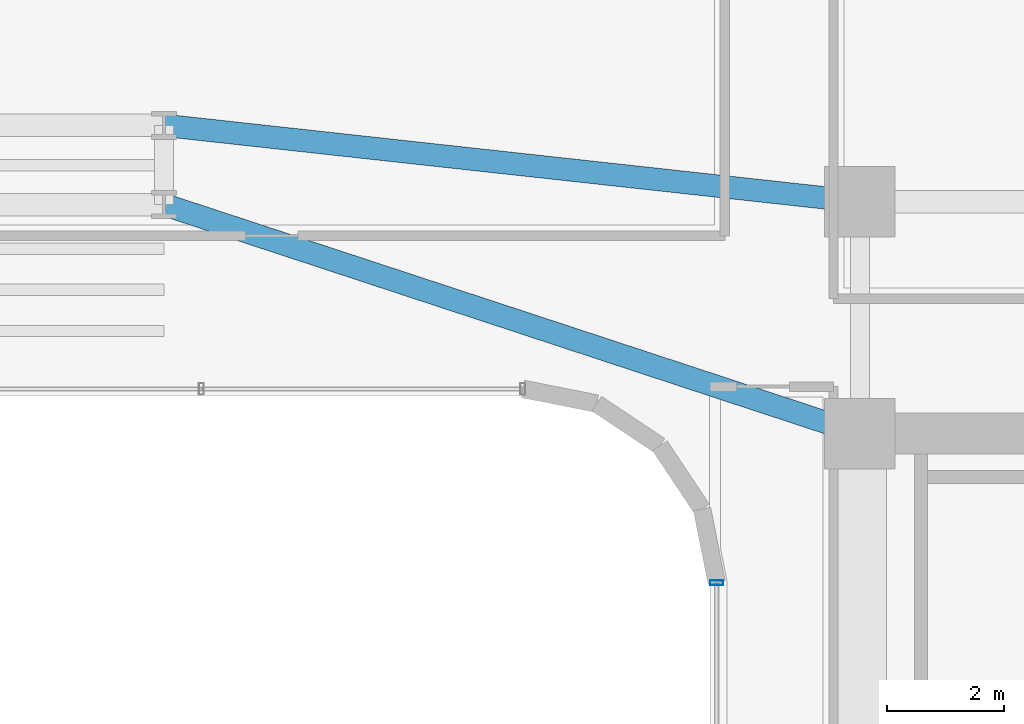
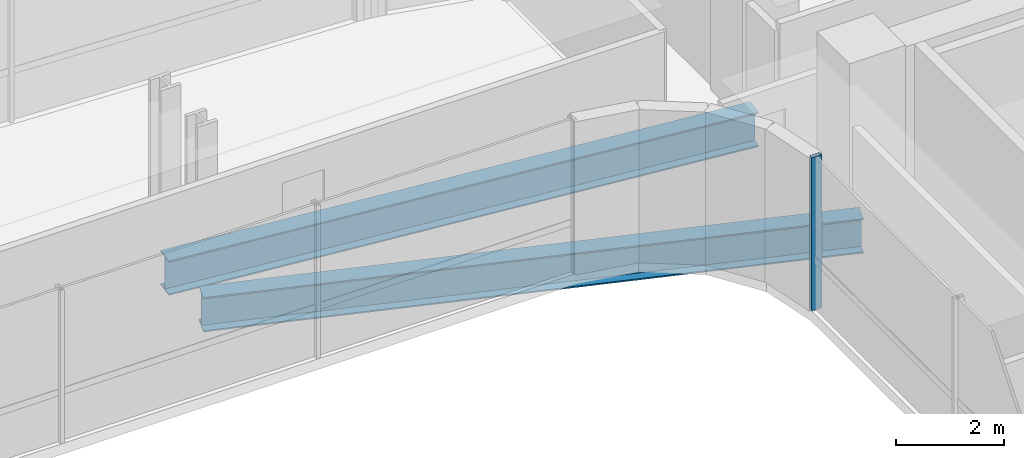
# One storey, part 15 of 34: 2 beams, 1 member, 1 element without a shape of its own.
"""IFC4 building model written with IfcOpenShell, lengths in metres."""

from ifc_helpers import new_model, si_unit, direction, frame, origin, origin_2d, place, context, subcontext, project, spatial, hollow_rectangle, i_section, extrude, source, transform, mapped, material, material_profile, profile_set, type_object, element, aggregate, save


model = new_model("IFC4")

# Units and contexts
model_context = context("Model", 3, precision=1e-05, world=origin(), true_north=direction((0.0, 1.0)))
body_context = subcontext(model_context, "Body", "Model", "MODEL_VIEW")
ifc_project = project(units=[si_unit("LENGTHUNIT", "METRE"), si_unit("AREAUNIT", "SQUARE_METRE"), si_unit("VOLUMEUNIT", "CUBIC_METRE"), si_unit("PLANEANGLEUNIT", "RADIAN"), si_unit("MASSUNIT", "GRAM", prefix="KILO")], contexts=[model_context])

# Site, building, storey
site_placement = place(None, origin())
site = spatial("IfcSite", under=ifc_project, at=site_placement, CompositionType="ELEMENT")
building_placement = place(site_placement, origin())
building = spatial("IfcBuilding", under=site, at=building_placement, Name="Valdorenza Pilgrim Sanctuary Tower", CompositionType="ELEMENT")
storey_placement = place(building_placement, frame((0.0, 0.0, 142.699951171875)))
storey = spatial("IfcBuildingStorey", under=building, at=storey_placement, Name="L36", CompositionType="ELEMENT", Elevation=142.699951171875)

# Beams
ifc_material_1 = material(Name="Steel ASTM A992 Grade 50", Category="steel")
ifc_material_profile_1 = material_profile(ifc_material_1, i_section(OverallWidth=0.382080078125, OverallDepth=0.779052734375, WebThickness=0.01806640625, FlangeThickness=0.030029296875, at=origin_2d()), Name="W30X191")
ifc_profile_set_1 = profile_set([ifc_material_profile_1], Name="Steel ASTM A992 Grade 50")
beam_type = type_object("IfcBeamType", Name="STR-BM-GRD-W30", PredefinedType="BEAM", material=ifc_profile_set_1)
shared_shape_1 = source(origin(), body_context, "Body", "SweptSolid", [
    extrude(i_section(OverallWidth=0.382080078125, OverallDepth=0.779052734375, WebThickness=0.01806640625, FlangeThickness=0.030029296875, at=origin_2d()), origin(), (0.0, 0.0, 1.0), 12.475341796875),
])
beam_1_placement = place(storey_placement, frame((4.0, 13.449951171875, -0.62939453125), z_axis=(0.949881908141, -0.312608957943, 0.0), x_axis=(0.312608957943, 0.949881908141, 0.0)))
element("IfcBeam", 1, at=beam_1_placement, inside=storey, type_object=beam_type, Name="L36 Floor Girder KNK-G3", PredefinedType="BEAM", context=body_context, shape_type="MappedRepresentation", body=[
    mapped(shared_shape_1, transform((0.0, 0.0, 0.0), x_axis=(1.0, 0.0, 0.0), y_axis=(0.0, 1.0, 0.0), z_axis=(0.0, 0.0, 1.0), scale=1.0)),
])
shared_shape_2 = source(origin(), body_context, "Body", "SweptSolid", [
    extrude(i_section(OverallWidth=0.382080078125, OverallDepth=0.779052734375, WebThickness=0.01806640625, FlangeThickness=0.030029296875, at=origin_2d()), origin(), (0.0, 0.0, 1.0), 11.921142578125),
])
beam_2_placement = place(storey_placement, frame((4.0, 14.800048828125, -0.62939453125), z_axis=(0.994035876607, -0.10905354656, 0.0), x_axis=(0.10905354656, 0.994035876607, 0.0)))
element("IfcBeam", 2, at=beam_2_placement, inside=storey, type_object=beam_type, Name="L36 Floor Girder KNK-G6", PredefinedType="BEAM", context=body_context, shape_type="MappedRepresentation", body=[
    mapped(shared_shape_2, transform((0.0, 0.0, 0.0), x_axis=(1.0, 0.0, 0.0), y_axis=(0.0, 1.0, 0.0), z_axis=(0.0, 0.0, 1.0), scale=1.0)),
])

# Curtain wall, member
ifc_material_2 = material(Name="Curtain-wall IGU glazing", Category="glass")
curtain_wall_type = type_object("IfcCurtainWallType", Name="CW-SYS-03", PredefinedType="NOTDEFINED", material=ifc_material_2)
curtain_wall_placement = place(storey_placement, origin())
curtain_wall = element("IfcCurtainWall", 3, at=curtain_wall_placement, inside=storey, type_object=curtain_wall_type, Name="L36 Curtain Wall CW-L36-1-31", PredefinedType="NOTDEFINED")
ifc_material_3 = material(Name="Anodised aluminium AW-6060", Category="aluminium")
ifc_material_profile_2 = material_profile(ifc_material_3, hollow_rectangle(XDim=0.0849609375, YDim=0.219970703125, WallThickness=0.0048828125, at=origin_2d()), Name="ALU-M 220x85x5")
ifc_profile_set_2 = profile_set([ifc_material_profile_2], Name="Anodised aluminium AW-6060")
member_type = type_object("IfcMemberType", Name="CW-MUL-03", PredefinedType="MULLION", material=ifc_profile_set_2)
shared_shape_3 = source(origin(), body_context, "Body", "SweptSolid", [
    extrude(hollow_rectangle(XDim=0.0849609375, YDim=0.219970703125, WallThickness=0.0048828125, at=origin_2d()), origin(), (0.0, 0.0, 1.0), 3.4599609375),
])
member_placement = place(storey_placement, frame((13.409912109375, 7.0107421875, 0.0), z_axis=(0.0, 0.0, 1.0), x_axis=(0.0, 1.0, 0.0)))
member = element("IfcMember", 4, at=member_placement, type_object=member_type, Name="CW-L36-1-31 Mullion 4", PredefinedType="MULLION", context=body_context, shape_type="MappedRepresentation", body=[
    mapped(shared_shape_3, transform((0.0, 0.0, 0.0), x_axis=(1.0, 0.0, 0.0), y_axis=(0.0, 1.0, 0.0), z_axis=(0.0, 0.0, 1.0), scale=1.0)),
])
aggregate(curtain_wall, [member])

save(model, "model.ifc")
